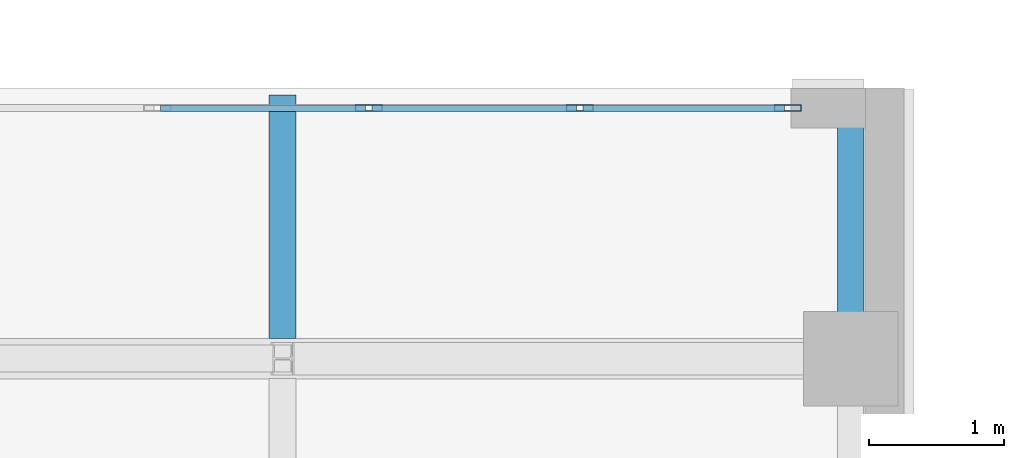
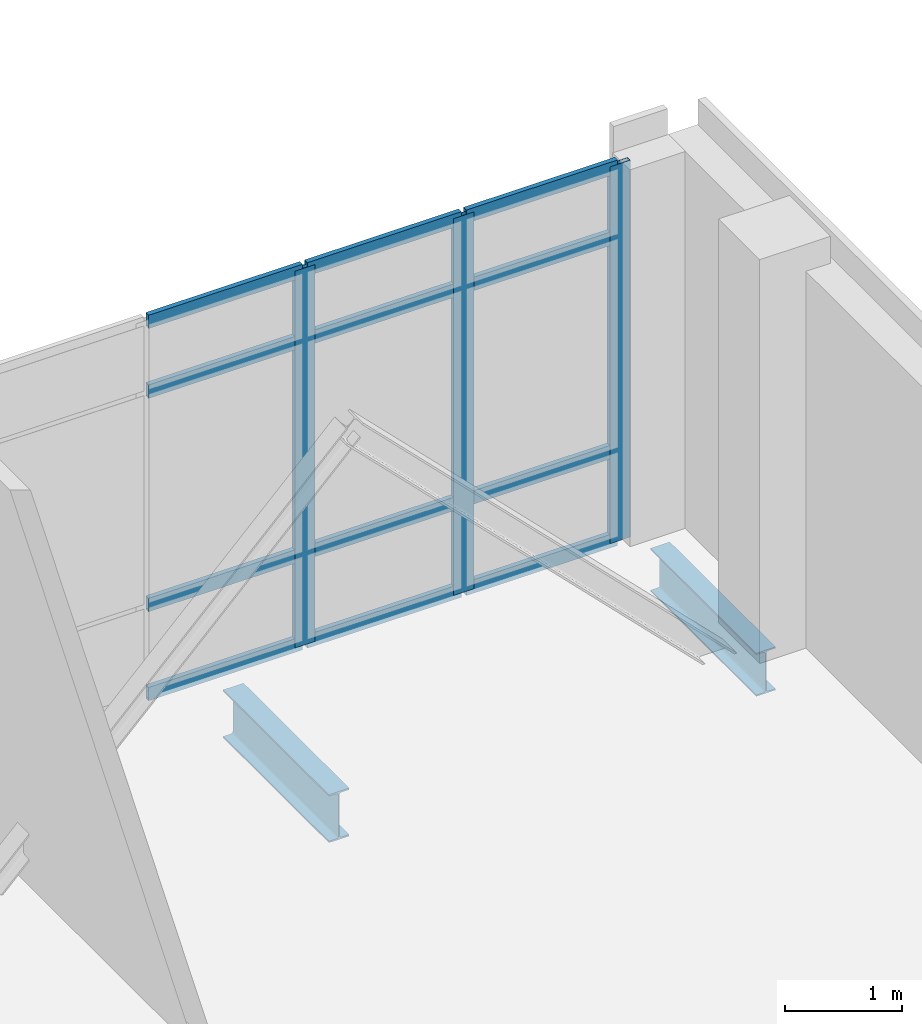
# One storey, part 25 of 165: 15 members, 2 beams, 1 element without a shape of its own.
"""IFC4 building model written with IfcOpenShell, lengths in metres."""

from ifc_helpers import new_model, si_unit, direction, frame, origin, origin_2d, place, context, subcontext, project, spatial, hollow_rectangle, i_section, extrude, material, layer, layer_set, material_profile, profile_set, type_object, element, aggregate, save


model = new_model("IFC4")

# Units and contexts
model_context = context("Model", 3, precision=1e-05, world=origin(), true_north=direction((0.0, 1.0)))
body_context = subcontext(model_context, "Body", "Model", "MODEL_VIEW")
ifc_project = project(units=[si_unit("LENGTHUNIT", "METRE"), si_unit("AREAUNIT", "SQUARE_METRE"), si_unit("VOLUMEUNIT", "CUBIC_METRE"), si_unit("PLANEANGLEUNIT", "RADIAN"), si_unit("MASSUNIT", "GRAM", prefix="KILO")], contexts=[model_context])

# Site, building, storey
site_placement = place(None, origin())
site = spatial("IfcSite", under=ifc_project, at=site_placement, CompositionType="ELEMENT")
building_placement = place(site_placement, origin())
building = spatial("IfcBuilding", under=site, at=building_placement, Name="Qalavern Law Courts", CompositionType="ELEMENT")
storey_placement = place(building_placement, frame((0.0, 0.0, 14.39990234375)))
storey = spatial("IfcBuildingStorey", under=building, at=storey_placement, Name="L03", CompositionType="ELEMENT", Elevation=14.39990234375)

# Curtain wall, members
ifc_material_1 = material(Name="Anodised aluminium and insulated glazing", Category="aluminium")
ifc_layer = layer(ifc_material_1, 0.199951171875)
ifc_layer_set = layer_set([ifc_layer], Name="Anodised aluminium and insulated glazing")
curtain_wall_type = type_object("IfcCurtainWallType", Name="ENV-CW-FOYER", PredefinedType="USERDEFINED", material=ifc_layer_set)
curtain_wall_placement = place(storey_placement, origin())
curtain_wall = element("IfcCurtainWall", 1, at=curtain_wall_placement, inside=storey, type_object=curtain_wall_type, Name="V1 unitised curtain wall L03 north 1", ObjectType="UNITISED CURTAIN WALL", PredefinedType="USERDEFINED")
ifc_material_2 = material(Name="Anodised aluminium", Category="aluminium")
ifc_material_profile_1 = material_profile(ifc_material_2, hollow_rectangle(XDim=0.048095703125, YDim=0.199951171875, WallThickness=0.00439453125, at=origin_2d()), Name="ALU MULLION 48x200")
ifc_profile_set_1 = profile_set([ifc_material_profile_1], Name="Anodised aluminium")
member_type_1 = type_object("IfcMemberType", Name="ENV-CWM-48x200", PredefinedType="MULLION", material=ifc_profile_set_1)
member_1_placement = place(storey_placement, frame((33.135986328125, 33.8525390625, 0.0), z_axis=(0.0, 0.0, 1.0), x_axis=(0.0, -1.0, 0.0)))
member_1 = element("IfcMember", 2, at=member_1_placement, type_object=member_type_1, Name="CW-01 mullion 1", PredefinedType="MULLION", context=body_context, shape_type="SweptSolid", body=[
    extrude(hollow_rectangle(XDim=0.048095703125, YDim=0.199951171875, WallThickness=0.00439453125, at=origin_2d()), origin(), (0.0, 0.0, 1.0), 3.920166015625),
])
member_2_placement = place(storey_placement, frame((31.59765625, 33.8525390625, 0.0), z_axis=(0.0, 0.0, 1.0), x_axis=(0.0, -1.0, 0.0)))
member_2 = element("IfcMember", 3, at=member_2_placement, type_object=member_type_1, Name="CW-01 mullion 2", PredefinedType="MULLION", context=body_context, shape_type="SweptSolid", body=[
    extrude(hollow_rectangle(XDim=0.048095703125, YDim=0.199951171875, WallThickness=0.00439453125, at=origin_2d()), origin(), (0.0, 0.0, 1.0), 3.920166015625),
])
member_3_placement = place(storey_placement, frame((30.03564453125, 33.8525390625, 0.0), z_axis=(0.0, 0.0, 1.0), x_axis=(0.0, -1.0, 0.0)))
member_3 = element("IfcMember", 4, at=member_3_placement, type_object=member_type_1, Name="CW-01 mullion 3", PredefinedType="MULLION", context=body_context, shape_type="SweptSolid", body=[
    extrude(hollow_rectangle(XDim=0.048095703125, YDim=0.199951171875, WallThickness=0.00439453125, at=origin_2d()), origin(), (0.0, 0.0, 1.0), 3.920166015625),
])
ifc_material_profile_2 = material_profile(ifc_material_2, hollow_rectangle(XDim=0.048095703125, YDim=0.139892578125, WallThickness=0.00390625, at=origin_2d()), Name="ALU TRANSOM 48x140")
ifc_profile_set_2 = profile_set([ifc_material_profile_2], Name="Anodised aluminium")
member_type_2 = type_object("IfcMemberType", Name="ENV-CWT-48x140", PredefinedType="USERDEFINED", material=ifc_profile_set_2)
member_4_placement = place(storey_placement, frame((33.112060546875, 33.8525390625, 0.024169921875), z_axis=(-1.0, 0.0, 0.0), x_axis=(0.0, -1.0, 0.0)))
member_4 = element("IfcMember", 5, at=member_4_placement, type_object=member_type_2, Name="CW-01 transom 1.1", ObjectType="TRANSOM", PredefinedType="USERDEFINED", context=body_context, shape_type="SweptSolid", body=[
    extrude(hollow_rectangle(XDim=0.048095703125, YDim=0.139892578125, WallThickness=0.00390625, at=origin_2d()), origin(), (0.0, 0.0, 1.0), 1.490234375),
])
member_5_placement = place(storey_placement, frame((33.112060546875, 33.8525390625, 0.9501953125), z_axis=(-1.0, 0.0, 0.0), x_axis=(0.0, -1.0, 0.0)))
member_5 = element("IfcMember", 6, at=member_5_placement, type_object=member_type_2, Name="CW-01 transom 1.2", ObjectType="TRANSOM", PredefinedType="USERDEFINED", context=body_context, shape_type="SweptSolid", body=[
    extrude(hollow_rectangle(XDim=0.048095703125, YDim=0.139892578125, WallThickness=0.00390625, at=origin_2d()), origin(), (0.0, 0.0, 1.0), 1.490234375),
])
member_6_placement = place(storey_placement, frame((33.112060546875, 33.8525390625, 3.170166015625), z_axis=(-1.0, 0.0, 0.0), x_axis=(0.0, -1.0, 0.0)))
member_6 = element("IfcMember", 7, at=member_6_placement, type_object=member_type_2, Name="CW-01 transom 1.3", ObjectType="TRANSOM", PredefinedType="USERDEFINED", context=body_context, shape_type="SweptSolid", body=[
    extrude(hollow_rectangle(XDim=0.048095703125, YDim=0.139892578125, WallThickness=0.00390625, at=origin_2d()), origin(), (0.0, 0.0, 1.0), 1.490234375),
])
member_7_placement = place(storey_placement, frame((33.112060546875, 33.8525390625, 3.89599609375), z_axis=(-1.0, 0.0, 0.0), x_axis=(0.0, -1.0, 0.0)))
member_7 = element("IfcMember", 8, at=member_7_placement, type_object=member_type_2, Name="CW-01 transom 1.4", ObjectType="TRANSOM", PredefinedType="USERDEFINED", context=body_context, shape_type="SweptSolid", body=[
    extrude(hollow_rectangle(XDim=0.048095703125, YDim=0.139892578125, WallThickness=0.00390625, at=origin_2d()), origin(), (0.0, 0.0, 1.0), 1.490234375),
])
member_8_placement = place(storey_placement, frame((31.57373046875, 33.8525390625, 0.024169921875), z_axis=(-1.0, 0.0, 0.0), x_axis=(0.0, -1.0, 0.0)))
member_8 = element("IfcMember", 9, at=member_8_placement, type_object=member_type_2, Name="CW-01 transom 2.1", ObjectType="TRANSOM", PredefinedType="USERDEFINED", context=body_context, shape_type="SweptSolid", body=[
    extrude(hollow_rectangle(XDim=0.048095703125, YDim=0.139892578125, WallThickness=0.00390625, at=origin_2d()), origin(), (0.0, 0.0, 1.0), 1.51416015625),
])
member_9_placement = place(storey_placement, frame((31.57373046875, 33.8525390625, 0.9501953125), z_axis=(-1.0, 0.0, 0.0), x_axis=(0.0, -1.0, 0.0)))
member_9 = element("IfcMember", 10, at=member_9_placement, type_object=member_type_2, Name="CW-01 transom 2.2", ObjectType="TRANSOM", PredefinedType="USERDEFINED", context=body_context, shape_type="SweptSolid", body=[
    extrude(hollow_rectangle(XDim=0.048095703125, YDim=0.139892578125, WallThickness=0.00390625, at=origin_2d()), origin(), (0.0, 0.0, 1.0), 1.51416015625),
])
member_10_placement = place(storey_placement, frame((31.57373046875, 33.8525390625, 3.170166015625), z_axis=(-1.0, 0.0, 0.0), x_axis=(0.0, -1.0, 0.0)))
member_10 = element("IfcMember", 11, at=member_10_placement, type_object=member_type_2, Name="CW-01 transom 2.3", ObjectType="TRANSOM", PredefinedType="USERDEFINED", context=body_context, shape_type="SweptSolid", body=[
    extrude(hollow_rectangle(XDim=0.048095703125, YDim=0.139892578125, WallThickness=0.00390625, at=origin_2d()), origin(), (0.0, 0.0, 1.0), 1.51416015625),
])
member_11_placement = place(storey_placement, frame((31.57373046875, 33.8525390625, 3.89599609375), z_axis=(-1.0, 0.0, 0.0), x_axis=(0.0, -1.0, 0.0)))
member_11 = element("IfcMember", 12, at=member_11_placement, type_object=member_type_2, Name="CW-01 transom 2.4", ObjectType="TRANSOM", PredefinedType="USERDEFINED", context=body_context, shape_type="SweptSolid", body=[
    extrude(hollow_rectangle(XDim=0.048095703125, YDim=0.139892578125, WallThickness=0.00390625, at=origin_2d()), origin(), (0.0, 0.0, 1.0), 1.51416015625),
])
member_12_placement = place(storey_placement, frame((30.011474609375, 33.8525390625, 0.024169921875), z_axis=(-1.0, 0.0, 0.0), x_axis=(0.0, -1.0, 0.0)))
member_12 = element("IfcMember", 13, at=member_12_placement, type_object=member_type_2, Name="CW-01 transom 3.1", ObjectType="TRANSOM", PredefinedType="USERDEFINED", context=body_context, shape_type="SweptSolid", body=[
    extrude(hollow_rectangle(XDim=0.048095703125, YDim=0.139892578125, WallThickness=0.00390625, at=origin_2d()), origin(), (0.0, 0.0, 1.0), 1.51416015625),
])
member_13_placement = place(storey_placement, frame((30.011474609375, 33.8525390625, 0.9501953125), z_axis=(-1.0, 0.0, 0.0), x_axis=(0.0, -1.0, 0.0)))
member_13 = element("IfcMember", 14, at=member_13_placement, type_object=member_type_2, Name="CW-01 transom 3.2", ObjectType="TRANSOM", PredefinedType="USERDEFINED", context=body_context, shape_type="SweptSolid", body=[
    extrude(hollow_rectangle(XDim=0.048095703125, YDim=0.139892578125, WallThickness=0.00390625, at=origin_2d()), origin(), (0.0, 0.0, 1.0), 1.51416015625),
])
member_14_placement = place(storey_placement, frame((30.011474609375, 33.8525390625, 3.170166015625), z_axis=(-1.0, 0.0, 0.0), x_axis=(0.0, -1.0, 0.0)))
member_14 = element("IfcMember", 15, at=member_14_placement, type_object=member_type_2, Name="CW-01 transom 3.3", ObjectType="TRANSOM", PredefinedType="USERDEFINED", context=body_context, shape_type="SweptSolid", body=[
    extrude(hollow_rectangle(XDim=0.048095703125, YDim=0.139892578125, WallThickness=0.00390625, at=origin_2d()), origin(), (0.0, 0.0, 1.0), 1.51416015625),
])
member_15_placement = place(storey_placement, frame((30.011474609375, 33.8525390625, 3.89599609375), z_axis=(-1.0, 0.0, 0.0), x_axis=(0.0, -1.0, 0.0)))
member_15 = element("IfcMember", 16, at=member_15_placement, type_object=member_type_2, Name="CW-01 transom 3.4", ObjectType="TRANSOM", PredefinedType="USERDEFINED", context=body_context, shape_type="SweptSolid", body=[
    extrude(hollow_rectangle(XDim=0.048095703125, YDim=0.139892578125, WallThickness=0.00390625, at=origin_2d()), origin(), (0.0, 0.0, 1.0), 1.51416015625),
])
aggregate(curtain_wall, [member_1, member_2, member_3, member_4, member_5, member_6, member_7, member_8, member_9, member_10, member_11, member_12, member_13, member_14, member_15])

# Beams
ifc_material_3 = material(Name="Steel S355", Category="steel")
ifc_material_profile_3 = material_profile(ifc_material_3, i_section(OverallWidth=0.199951171875, OverallDepth=0.5, WebThickness=0.01025390625, FlangeThickness=0.01611328125, FilletRadius=0.02099609375, at=origin_2d()), Name="IPE 500")
ifc_profile_set_3 = profile_set([ifc_material_profile_3], Name="Steel S355")
beam_type_1 = type_object("IfcBeamType", Name="STR-BM-IPE500", PredefinedType="BEAM", material=ifc_profile_set_3)
beam_1_placement = place(storey_placement, frame((29.39990234375, 32.14794921875, -0.534912109375), z_axis=(0.0, 1.0, 0.0), x_axis=(-1.0, 0.0, 0.0)))
element("IfcBeam", 17, at=beam_1_placement, inside=storey, type_object=beam_type_1, Name="Foyer transverse beam L03-2.4", PredefinedType="BEAM", context=body_context, shape_type="SweptSolid", body=[
    extrude(i_section(OverallWidth=0.199951171875, OverallDepth=0.5, WebThickness=0.01025390625, FlangeThickness=0.01611328125, FilletRadius=0.02099609375, at=origin_2d()), origin(), (0.0, 0.0, 1.0), 1.802001953125),
])
ifc_material_profile_4 = material_profile(ifc_material_3, i_section(OverallWidth=0.18994140625, OverallDepth=0.449951171875, WebThickness=0.009521484375, FlangeThickness=0.0146484375, FilletRadius=0.02099609375, at=origin_2d()), Name="IPE 450")
ifc_profile_set_4 = profile_set([ifc_material_profile_4], Name="Steel S355")
beam_type_2 = type_object("IfcBeamType", Name="STR-SP-IPE450", PredefinedType="SPANDREL", material=ifc_profile_set_4)
beam_2_placement = place(storey_placement, frame((33.60009765625, 32.14794921875, -0.510009765625), z_axis=(0.0, 1.0, 0.0), x_axis=(-1.0, 0.0, 0.0)))
element("IfcBeam", 18, at=beam_2_placement, inside=storey, type_object=beam_type_2, Name="Foyer transverse beam L03-1.4", PredefinedType="SPANDREL", context=body_context, shape_type="SweptSolid", body=[
    extrude(i_section(OverallWidth=0.18994140625, OverallDepth=0.449951171875, WebThickness=0.009521484375, FlangeThickness=0.0146484375, FilletRadius=0.02099609375, at=origin_2d()), origin(), (0.0, 0.0, 1.0), 1.802001953125),
])

save(model, "model.ifc")
